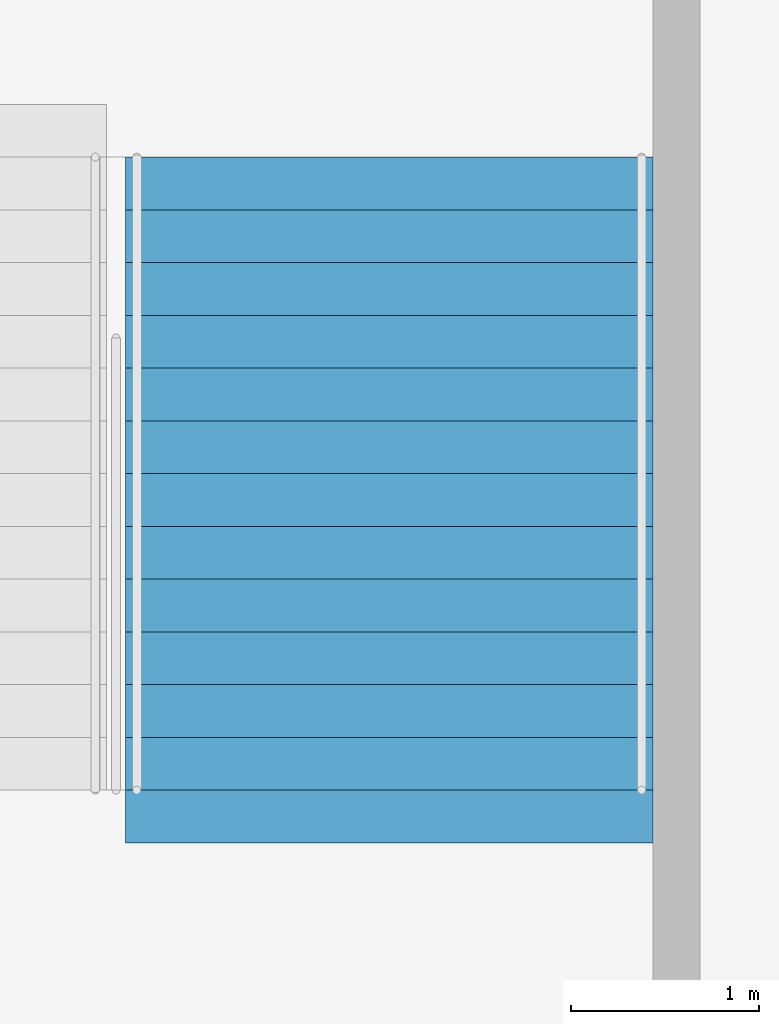
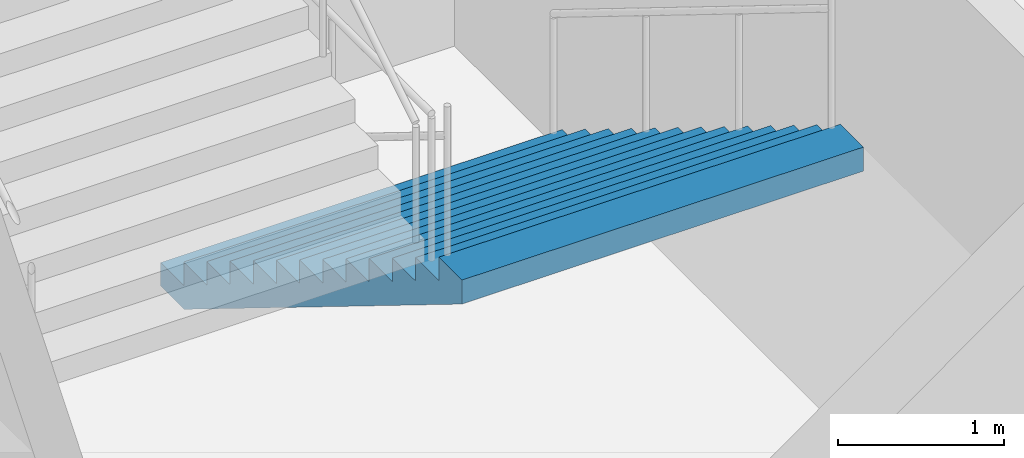
# One storey, part 65 of 175: 1 stair flight, 1 element without a shape of its own.
"""IFC4 building model written with IfcOpenShell, lengths in metres."""

from ifc_helpers import new_model, si_unit, direction, frame, origin, place, context, subcontext, project, spatial, faceted_brep, material, type_object, element, aggregate, save


model = new_model("IFC4")

# Units and contexts
model_context = context("Model", 3, precision=1e-05, world=origin(), true_north=direction((0.0, 1.0)))
body_context = subcontext(model_context, "Body", "Model", "MODEL_VIEW")
ifc_project = project(units=[si_unit("LENGTHUNIT", "METRE"), si_unit("AREAUNIT", "SQUARE_METRE"), si_unit("VOLUMEUNIT", "CUBIC_METRE"), si_unit("PLANEANGLEUNIT", "RADIAN"), si_unit("MASSUNIT", "GRAM", prefix="KILO")], contexts=[model_context])

# Site, building, storey
site_placement = place(None, origin())
site = spatial("IfcSite", under=ifc_project, at=site_placement, CompositionType="ELEMENT")
building_placement = place(site_placement, origin())
building = spatial("IfcBuilding", under=site, at=building_placement, Name="Ogive Plaza Stadium", CompositionType="ELEMENT")
storey_placement = place(building_placement, origin())
storey = spatial("IfcBuildingStorey", under=building, at=storey_placement, Name="L00", CompositionType="ELEMENT", Elevation=0.0)

# Stair, stair flight
ifc_material_1 = material(Name="Concrete C40/50", Category="concrete")
stair_type = type_object("IfcStairType", Name="Exit stair", PredefinedType="STRAIGHT_RUN_STAIR", material=ifc_material_1)
stair_placement = place(storey_placement, origin())
stair = element("IfcStair", 1, at=stair_placement, inside=storey, type_object=stair_type, Name="Exit stair ST14B L00 to L01", PredefinedType="STRAIGHT_RUN_STAIR")
ifc_material_2 = material(Name="Concrete C40/50", Category="concrete")
stair_flight_type = type_object("IfcStairFlightType", Name="Exit stair flight", PredefinedType="STRAIGHT", material=ifc_material_2)
stair_flight_placement = place(storey_placement, frame((11.22509765625, -94.85009765625, 0.0), z_axis=(0.0, 0.0, 1.0), x_axis=(0.0, -1.0, 0.0)))
stair_flight = element("IfcStairFlight", 2, at=stair_flight_placement, type_object=stair_flight_type, Name="ST14B flight 1", NumberOfRisers=13, NumberOfTreads=12, PredefinedType="STRAIGHT", RiserHeight=0.173076923, TreadLength=0.28, context=body_context, shape_type="Brep", body=[
    faceted_brep([(0.28515625, -1.39990234375, 0.0), (3.639892578125, -1.39990234375, 2.07373046875), (3.639892578125, -1.39990234375, 2.25), (3.360107421875, -1.39990234375, 2.25), (3.360107421875, -1.39990234375, 2.076904296875), (3.080078125, -1.39990234375, 2.076904296875), (3.080078125, -1.39990234375, 1.90380859375), (2.800048828125, -1.39990234375, 1.90380859375), (2.800048828125, -1.39990234375, 1.730712890625), (2.52001953125, -1.39990234375, 1.730712890625), (2.52001953125, -1.39990234375, 1.5576171875), (2.239990234375, -1.39990234375, 1.5576171875), (2.239990234375, -1.39990234375, 1.384521484375), (1.9599609375, -1.39990234375, 1.384521484375), (1.9599609375, -1.39990234375, 1.21142578125), (1.679931640625, -1.39990234375, 1.21142578125), (1.679931640625, -1.39990234375, 1.03857421875), (1.39990234375, -1.39990234375, 1.03857421875), (1.39990234375, -1.39990234375, 0.865478515625), (1.1201171875, -1.39990234375, 0.865478515625), (1.1201171875, -1.39990234375, 0.6923828125), (0.840087890625, -1.39990234375, 0.6923828125), (0.840087890625, -1.39990234375, 0.519287109375), (0.56005859375, -1.39990234375, 0.519287109375), (0.56005859375, -1.39990234375, 0.34619140625), (0.280029296875, -1.39990234375, 0.34619140625), (0.280029296875, -1.39990234375, 0.173095703125), (0.0, -1.39990234375, 0.173095703125), (0.0, -1.39990234375, 0.0), (0.0, 1.39990234375, 0.0), (0.0, 1.39990234375, 0.173095703125), (0.280029296875, 1.39990234375, 0.173095703125), (0.280029296875, 1.39990234375, 0.34619140625), (0.56005859375, 1.39990234375, 0.34619140625), (0.56005859375, 1.39990234375, 0.519287109375), (0.840087890625, 1.39990234375, 0.519287109375), (0.840087890625, 1.39990234375, 0.6923828125), (1.1201171875, 1.39990234375, 0.6923828125), (1.1201171875, 1.39990234375, 0.865478515625), (1.39990234375, 1.39990234375, 0.865478515625), (1.39990234375, 1.39990234375, 1.03857421875), (1.679931640625, 1.39990234375, 1.03857421875), (1.679931640625, 1.39990234375, 1.21142578125), (1.9599609375, 1.39990234375, 1.21142578125), (1.9599609375, 1.39990234375, 1.384521484375), (2.239990234375, 1.39990234375, 1.384521484375), (2.239990234375, 1.39990234375, 1.5576171875), (2.52001953125, 1.39990234375, 1.5576171875), (2.52001953125, 1.39990234375, 1.730712890625), (2.800048828125, 1.39990234375, 1.730712890625), (2.800048828125, 1.39990234375, 1.90380859375), (3.080078125, 1.39990234375, 1.90380859375), (3.080078125, 1.39990234375, 2.076904296875), (3.360107421875, 1.39990234375, 2.076904296875), (3.360107421875, 1.39990234375, 2.25), (3.639892578125, 1.39990234375, 2.25), (3.639892578125, 1.39990234375, 2.07373046875), (0.28515625, 1.39990234375, 0.0), (0.28515625, -1.0888671875, 0.0), (3.639892578125, -1.0888671875, 2.07373046875), (0.28515625, -0.77783203125, 0.0), (3.639892578125, -0.77783203125, 2.07373046875), (0.28515625, -0.466796875, 0.0), (3.639892578125, -0.466796875, 2.07373046875), (0.28515625, -0.155517578125, 0.0), (3.639892578125, -0.155517578125, 2.07373046875), (0.28515625, 0.155517578125, 0.0), (3.639892578125, 0.155517578125, 2.07373046875), (0.28515625, 0.466796875, 0.0), (3.639892578125, 0.466796875, 2.07373046875), (0.28515625, 0.77783203125, 0.0), (3.639892578125, 0.77783203125, 2.07373046875), (0.28515625, 1.0888671875, 0.0), (3.639892578125, 1.0888671875, 2.07373046875), (3.639892578125, -1.0888671875, 2.25), (3.639892578125, -0.77783203125, 2.25), (3.639892578125, -0.466796875, 2.25), (3.639892578125, -0.155517578125, 2.25), (3.639892578125, 0.155517578125, 2.25), (3.639892578125, 0.466796875, 2.25), (3.639892578125, 0.77783203125, 2.25), (3.639892578125, 1.0888671875, 2.25), (3.360107421875, -1.0888671875, 2.25), (3.360107421875, -0.77783203125, 2.25), (3.360107421875, -0.466796875, 2.25), (3.360107421875, -0.155517578125, 2.25), (3.360107421875, 0.155517578125, 2.25), (3.360107421875, 0.466796875, 2.25), (3.360107421875, 0.77783203125, 2.25), (3.360107421875, 1.0888671875, 2.25), (3.360107421875, -1.0888671875, 2.076904296875), (3.360107421875, -0.77783203125, 2.076904296875), (3.360107421875, -0.466796875, 2.076904296875), (3.360107421875, -0.155517578125, 2.076904296875), (3.360107421875, 0.155517578125, 2.076904296875), (3.360107421875, 0.466796875, 2.076904296875), (3.360107421875, 0.77783203125, 2.076904296875), (3.360107421875, 1.0888671875, 2.076904296875), (3.080078125, -1.0888671875, 2.076904296875), (3.080078125, -0.77783203125, 2.076904296875), (3.080078125, -0.466796875, 2.076904296875), (3.080078125, -0.155517578125, 2.076904296875), (3.080078125, 0.155517578125, 2.076904296875), (3.080078125, 0.466796875, 2.076904296875), (3.080078125, 0.77783203125, 2.076904296875), (3.080078125, 1.0888671875, 2.076904296875), (3.080078125, -1.0888671875, 1.90380859375), (3.080078125, -0.77783203125, 1.90380859375), (3.080078125, -0.466796875, 1.90380859375), (3.080078125, -0.155517578125, 1.90380859375), (3.080078125, 0.155517578125, 1.90380859375), (3.080078125, 0.466796875, 1.90380859375), (3.080078125, 0.77783203125, 1.90380859375), (3.080078125, 1.0888671875, 1.90380859375), (2.800048828125, -1.0888671875, 1.90380859375), (2.800048828125, -0.77783203125, 1.90380859375), (2.800048828125, -0.466796875, 1.90380859375), (2.800048828125, -0.155517578125, 1.90380859375), (2.800048828125, 0.155517578125, 1.90380859375), (2.800048828125, 0.466796875, 1.90380859375), (2.800048828125, 0.77783203125, 1.90380859375), (2.800048828125, 1.0888671875, 1.90380859375), (2.800048828125, -1.0888671875, 1.730712890625), (2.800048828125, -0.77783203125, 1.730712890625), (2.800048828125, -0.466796875, 1.730712890625), (2.800048828125, -0.155517578125, 1.730712890625), (2.800048828125, 0.155517578125, 1.730712890625), (2.800048828125, 0.466796875, 1.730712890625), (2.800048828125, 0.77783203125, 1.730712890625), (2.800048828125, 1.0888671875, 1.730712890625), (2.52001953125, -1.0888671875, 1.730712890625), (2.52001953125, -0.77783203125, 1.730712890625), (2.52001953125, -0.466796875, 1.730712890625), (2.52001953125, -0.155517578125, 1.730712890625), (2.52001953125, 0.155517578125, 1.730712890625), (2.52001953125, 0.466796875, 1.730712890625), (2.52001953125, 0.77783203125, 1.730712890625), (2.52001953125, 1.0888671875, 1.730712890625), (2.52001953125, -1.0888671875, 1.5576171875), (2.52001953125, -0.77783203125, 1.5576171875), (2.52001953125, -0.466796875, 1.5576171875), (2.52001953125, -0.155517578125, 1.5576171875), (2.52001953125, 0.155517578125, 1.5576171875), (2.52001953125, 0.466796875, 1.5576171875), (2.52001953125, 0.77783203125, 1.5576171875), (2.52001953125, 1.0888671875, 1.5576171875), (2.239990234375, -1.0888671875, 1.5576171875), (2.239990234375, -0.77783203125, 1.5576171875), (2.239990234375, -0.466796875, 1.5576171875), (2.239990234375, -0.155517578125, 1.5576171875), (2.239990234375, 0.155517578125, 1.5576171875), (2.239990234375, 0.466796875, 1.5576171875), (2.239990234375, 0.77783203125, 1.5576171875), (2.239990234375, 1.0888671875, 1.5576171875), (2.239990234375, -1.0888671875, 1.384521484375), (2.239990234375, -0.77783203125, 1.384521484375), (2.239990234375, -0.466796875, 1.384521484375), (2.239990234375, -0.155517578125, 1.384521484375), (2.239990234375, 0.155517578125, 1.384521484375), (2.239990234375, 0.466796875, 1.384521484375), (2.239990234375, 0.77783203125, 1.384521484375), (2.239990234375, 1.0888671875, 1.384521484375), (1.9599609375, -1.0888671875, 1.384521484375), (1.9599609375, -0.77783203125, 1.384521484375), (1.9599609375, -0.466796875, 1.384521484375), (1.9599609375, -0.155517578125, 1.384521484375), (1.9599609375, 0.155517578125, 1.384521484375), (1.9599609375, 0.466796875, 1.384521484375), (1.9599609375, 0.77783203125, 1.384521484375), (1.9599609375, 1.0888671875, 1.384521484375), (1.9599609375, -1.0888671875, 1.21142578125), (1.9599609375, -0.77783203125, 1.21142578125), (1.9599609375, -0.466796875, 1.21142578125), (1.9599609375, -0.155517578125, 1.21142578125), (1.9599609375, 0.155517578125, 1.21142578125), (1.9599609375, 0.466796875, 1.21142578125), (1.9599609375, 0.77783203125, 1.21142578125), (1.9599609375, 1.0888671875, 1.21142578125), (1.679931640625, -1.0888671875, 1.21142578125), (1.679931640625, -0.77783203125, 1.21142578125), (1.679931640625, -0.466796875, 1.21142578125), (1.679931640625, -0.155517578125, 1.21142578125), (1.679931640625, 0.155517578125, 1.21142578125), (1.679931640625, 0.466796875, 1.21142578125), (1.679931640625, 0.77783203125, 1.21142578125), (1.679931640625, 1.0888671875, 1.21142578125), (1.679931640625, -1.0888671875, 1.03857421875), (1.679931640625, -0.77783203125, 1.03857421875), (1.679931640625, -0.466796875, 1.03857421875), (1.679931640625, -0.155517578125, 1.03857421875), (1.679931640625, 0.155517578125, 1.03857421875), (1.679931640625, 0.466796875, 1.03857421875), (1.679931640625, 0.77783203125, 1.03857421875), (1.679931640625, 1.0888671875, 1.03857421875), (1.39990234375, -1.0888671875, 1.03857421875), (1.39990234375, -0.77783203125, 1.03857421875), (1.39990234375, -0.466796875, 1.03857421875), (1.39990234375, -0.155517578125, 1.03857421875), (1.39990234375, 0.155517578125, 1.03857421875), (1.39990234375, 0.466796875, 1.03857421875), (1.39990234375, 0.77783203125, 1.03857421875), (1.39990234375, 1.0888671875, 1.03857421875), (1.39990234375, -1.0888671875, 0.865478515625), (1.39990234375, -0.77783203125, 0.865478515625), (1.39990234375, -0.466796875, 0.865478515625), (1.39990234375, -0.155517578125, 0.865478515625), (1.39990234375, 0.155517578125, 0.865478515625), (1.39990234375, 0.466796875, 0.865478515625), (1.39990234375, 0.77783203125, 0.865478515625), (1.39990234375, 1.0888671875, 0.865478515625), (1.1201171875, -1.0888671875, 0.865478515625), (1.1201171875, -0.77783203125, 0.865478515625), (1.1201171875, -0.466796875, 0.865478515625), (1.1201171875, -0.155517578125, 0.865478515625), (1.1201171875, 0.155517578125, 0.865478515625), (1.1201171875, 0.466796875, 0.865478515625), (1.1201171875, 0.77783203125, 0.865478515625), (1.1201171875, 1.0888671875, 0.865478515625), (1.1201171875, -1.0888671875, 0.6923828125), (1.1201171875, -0.77783203125, 0.6923828125), (1.1201171875, -0.466796875, 0.6923828125), (1.1201171875, -0.155517578125, 0.6923828125), (1.1201171875, 0.155517578125, 0.6923828125), (1.1201171875, 0.466796875, 0.6923828125), (1.1201171875, 0.77783203125, 0.6923828125), (1.1201171875, 1.0888671875, 0.6923828125), (0.840087890625, -1.0888671875, 0.6923828125), (0.840087890625, -0.77783203125, 0.6923828125), (0.840087890625, -0.466796875, 0.6923828125), (0.840087890625, -0.155517578125, 0.6923828125), (0.840087890625, 0.155517578125, 0.6923828125), (0.840087890625, 0.466796875, 0.6923828125), (0.840087890625, 0.77783203125, 0.6923828125), (0.840087890625, 1.0888671875, 0.6923828125), (0.840087890625, -1.0888671875, 0.519287109375), (0.840087890625, -0.77783203125, 0.519287109375), (0.840087890625, -0.466796875, 0.519287109375), (0.840087890625, -0.155517578125, 0.519287109375), (0.840087890625, 0.155517578125, 0.519287109375), (0.840087890625, 0.466796875, 0.519287109375), (0.840087890625, 0.77783203125, 0.519287109375), (0.840087890625, 1.0888671875, 0.519287109375), (0.56005859375, -1.0888671875, 0.519287109375), (0.56005859375, -0.77783203125, 0.519287109375), (0.56005859375, -0.466796875, 0.519287109375), (0.56005859375, -0.155517578125, 0.519287109375), (0.56005859375, 0.155517578125, 0.519287109375), (0.56005859375, 0.466796875, 0.519287109375), (0.56005859375, 0.77783203125, 0.519287109375), (0.56005859375, 1.0888671875, 0.519287109375), (0.56005859375, -1.0888671875, 0.34619140625), (0.56005859375, -0.77783203125, 0.34619140625), (0.56005859375, -0.466796875, 0.34619140625), (0.56005859375, -0.155517578125, 0.34619140625), (0.56005859375, 0.155517578125, 0.34619140625), (0.56005859375, 0.466796875, 0.34619140625), (0.56005859375, 0.77783203125, 0.34619140625), (0.56005859375, 1.0888671875, 0.34619140625), (0.280029296875, -1.0888671875, 0.34619140625), (0.280029296875, -0.77783203125, 0.34619140625), (0.280029296875, -0.466796875, 0.34619140625), (0.280029296875, -0.155517578125, 0.34619140625), (0.280029296875, 0.155517578125, 0.34619140625), (0.280029296875, 0.466796875, 0.34619140625), (0.280029296875, 0.77783203125, 0.34619140625), (0.280029296875, 1.0888671875, 0.34619140625), (0.280029296875, -1.0888671875, 0.173095703125), (0.280029296875, -0.77783203125, 0.173095703125), (0.280029296875, -0.466796875, 0.173095703125), (0.280029296875, -0.155517578125, 0.173095703125), (0.280029296875, 0.155517578125, 0.173095703125), (0.280029296875, 0.466796875, 0.173095703125), (0.280029296875, 0.77783203125, 0.173095703125), (0.280029296875, 1.0888671875, 0.173095703125), (0.0, -1.0888671875, 0.173095703125), (0.0, -0.77783203125, 0.173095703125), (0.0, -0.466796875, 0.173095703125), (0.0, -0.155517578125, 0.173095703125), (0.0, 0.155517578125, 0.173095703125), (0.0, 0.466796875, 0.173095703125), (0.0, 0.77783203125, 0.173095703125), (0.0, 1.0888671875, 0.173095703125), (0.0, -1.0888671875, 0.0), (0.0, -0.77783203125, 0.0), (0.0, -0.466796875, 0.0), (0.0, -0.155517578125, 0.0), (0.0, 0.155517578125, 0.0), (0.0, 0.466796875, 0.0), (0.0, 0.77783203125, 0.0), (0.0, 1.0888671875, 0.0)], [[[0, 1, 2, 3, 4, 5, 6, 7, 8, 9, 10, 11, 12, 13, 14, 15, 16, 17, 18, 19, 20, 21, 22, 23, 24, 25, 26, 27, 28]], [[29, 30, 31, 32, 33, 34, 35, 36, 37, 38, 39, 40, 41, 42, 43, 44, 45, 46, 47, 48, 49, 50, 51, 52, 53, 54, 55, 56, 57]], [[0, 58, 59, 1]], [[58, 60, 61, 59]], [[60, 62, 63, 61]], [[62, 64, 65, 63]], [[64, 66, 67, 65]], [[66, 68, 69, 67]], [[68, 70, 71, 69]], [[70, 72, 73, 71]], [[72, 57, 56, 73]], [[1, 59, 74, 2]], [[59, 61, 75, 74]], [[61, 63, 76, 75]], [[63, 65, 77, 76]], [[65, 67, 78, 77]], [[67, 69, 79, 78]], [[69, 71, 80, 79]], [[71, 73, 81, 80]], [[73, 56, 55, 81]], [[2, 74, 82, 3]], [[74, 75, 83, 82]], [[75, 76, 84, 83]], [[76, 77, 85, 84]], [[77, 78, 86, 85]], [[78, 79, 87, 86]], [[79, 80, 88, 87]], [[80, 81, 89, 88]], [[81, 55, 54, 89]], [[3, 82, 90, 4]], [[82, 83, 91, 90]], [[83, 84, 92, 91]], [[84, 85, 93, 92]], [[85, 86, 94, 93]], [[86, 87, 95, 94]], [[87, 88, 96, 95]], [[88, 89, 97, 96]], [[89, 54, 53, 97]], [[4, 90, 98, 5]], [[90, 91, 99, 98]], [[91, 92, 100, 99]], [[92, 93, 101, 100]], [[93, 94, 102, 101]], [[94, 95, 103, 102]], [[95, 96, 104, 103]], [[96, 97, 105, 104]], [[97, 53, 52, 105]], [[5, 98, 106, 6]], [[98, 99, 107, 106]], [[99, 100, 108, 107]], [[100, 101, 109, 108]], [[101, 102, 110, 109]], [[102, 103, 111, 110]], [[103, 104, 112, 111]], [[104, 105, 113, 112]], [[105, 52, 51, 113]], [[6, 106, 114, 7]], [[106, 107, 115, 114]], [[107, 108, 116, 115]], [[108, 109, 117, 116]], [[109, 110, 118, 117]], [[110, 111, 119, 118]], [[111, 112, 120, 119]], [[112, 113, 121, 120]], [[113, 51, 50, 121]], [[7, 114, 122, 8]], [[114, 115, 123, 122]], [[115, 116, 124, 123]], [[116, 117, 125, 124]], [[117, 118, 126, 125]], [[118, 119, 127, 126]], [[119, 120, 128, 127]], [[120, 121, 129, 128]], [[121, 50, 49, 129]], [[8, 122, 130, 9]], [[122, 123, 131, 130]], [[123, 124, 132, 131]], [[124, 125, 133, 132]], [[125, 126, 134, 133]], [[126, 127, 135, 134]], [[127, 128, 136, 135]], [[128, 129, 137, 136]], [[129, 49, 48, 137]], [[9, 130, 138, 10]], [[130, 131, 139, 138]], [[131, 132, 140, 139]], [[132, 133, 141, 140]], [[133, 134, 142, 141]], [[134, 135, 143, 142]], [[135, 136, 144, 143]], [[136, 137, 145, 144]], [[137, 48, 47, 145]], [[10, 138, 146, 11]], [[138, 139, 147, 146]], [[139, 140, 148, 147]], [[140, 141, 149, 148]], [[141, 142, 150, 149]], [[142, 143, 151, 150]], [[143, 144, 152, 151]], [[144, 145, 153, 152]], [[145, 47, 46, 153]], [[11, 146, 154, 12]], [[146, 147, 155, 154]], [[147, 148, 156, 155]], [[148, 149, 157, 156]], [[149, 150, 158, 157]], [[150, 151, 159, 158]], [[151, 152, 160, 159]], [[152, 153, 161, 160]], [[153, 46, 45, 161]], [[12, 154, 162, 13]], [[154, 155, 163, 162]], [[155, 156, 164, 163]], [[156, 157, 165, 164]], [[157, 158, 166, 165]], [[158, 159, 167, 166]], [[159, 160, 168, 167]], [[160, 161, 169, 168]], [[161, 45, 44, 169]], [[13, 162, 170, 14]], [[162, 163, 171, 170]], [[163, 164, 172, 171]], [[164, 165, 173, 172]], [[165, 166, 174, 173]], [[166, 167, 175, 174]], [[167, 168, 176, 175]], [[168, 169, 177, 176]], [[169, 44, 43, 177]], [[14, 170, 178, 15]], [[170, 171, 179, 178]], [[171, 172, 180, 179]], [[172, 173, 181, 180]], [[173, 174, 182, 181]], [[174, 175, 183, 182]], [[175, 176, 184, 183]], [[176, 177, 185, 184]], [[177, 43, 42, 185]], [[15, 178, 186, 16]], [[178, 179, 187, 186]], [[179, 180, 188, 187]], [[180, 181, 189, 188]], [[181, 182, 190, 189]], [[182, 183, 191, 190]], [[183, 184, 192, 191]], [[184, 185, 193, 192]], [[185, 42, 41, 193]], [[16, 186, 194, 17]], [[186, 187, 195, 194]], [[187, 188, 196, 195]], [[188, 189, 197, 196]], [[189, 190, 198, 197]], [[190, 191, 199, 198]], [[191, 192, 200, 199]], [[192, 193, 201, 200]], [[193, 41, 40, 201]], [[17, 194, 202, 18]], [[194, 195, 203, 202]], [[195, 196, 204, 203]], [[196, 197, 205, 204]], [[197, 198, 206, 205]], [[198, 199, 207, 206]], [[199, 200, 208, 207]], [[200, 201, 209, 208]], [[201, 40, 39, 209]], [[18, 202, 210, 19]], [[202, 203, 211, 210]], [[203, 204, 212, 211]], [[204, 205, 213, 212]], [[205, 206, 214, 213]], [[206, 207, 215, 214]], [[207, 208, 216, 215]], [[208, 209, 217, 216]], [[209, 39, 38, 217]], [[19, 210, 218, 20]], [[210, 211, 219, 218]], [[211, 212, 220, 219]], [[212, 213, 221, 220]], [[213, 214, 222, 221]], [[214, 215, 223, 222]], [[215, 216, 224, 223]], [[216, 217, 225, 224]], [[217, 38, 37, 225]], [[20, 218, 226, 21]], [[218, 219, 227, 226]], [[219, 220, 228, 227]], [[220, 221, 229, 228]], [[221, 222, 230, 229]], [[222, 223, 231, 230]], [[223, 224, 232, 231]], [[224, 225, 233, 232]], [[225, 37, 36, 233]], [[21, 226, 234, 22]], [[226, 227, 235, 234]], [[227, 228, 236, 235]], [[228, 229, 237, 236]], [[229, 230, 238, 237]], [[230, 231, 239, 238]], [[231, 232, 240, 239]], [[232, 233, 241, 240]], [[233, 36, 35, 241]], [[22, 234, 242, 23]], [[234, 235, 243, 242]], [[235, 236, 244, 243]], [[236, 237, 245, 244]], [[237, 238, 246, 245]], [[238, 239, 247, 246]], [[239, 240, 248, 247]], [[240, 241, 249, 248]], [[241, 35, 34, 249]], [[23, 242, 250, 24]], [[242, 243, 251, 250]], [[243, 244, 252, 251]], [[244, 245, 253, 252]], [[245, 246, 254, 253]], [[246, 247, 255, 254]], [[247, 248, 256, 255]], [[248, 249, 257, 256]], [[249, 34, 33, 257]], [[24, 250, 258, 25]], [[250, 251, 259, 258]], [[251, 252, 260, 259]], [[252, 253, 261, 260]], [[253, 254, 262, 261]], [[254, 255, 263, 262]], [[255, 256, 264, 263]], [[256, 257, 265, 264]], [[257, 33, 32, 265]], [[25, 258, 266, 26]], [[258, 259, 267, 266]], [[259, 260, 268, 267]], [[260, 261, 269, 268]], [[261, 262, 270, 269]], [[262, 263, 271, 270]], [[263, 264, 272, 271]], [[264, 265, 273, 272]], [[265, 32, 31, 273]], [[26, 266, 274, 27]], [[266, 267, 275, 274]], [[267, 268, 276, 275]], [[268, 269, 277, 276]], [[269, 270, 278, 277]], [[270, 271, 279, 278]], [[271, 272, 280, 279]], [[272, 273, 281, 280]], [[273, 31, 30, 281]], [[27, 274, 282, 28]], [[274, 275, 283, 282]], [[275, 276, 284, 283]], [[276, 277, 285, 284]], [[277, 278, 286, 285]], [[278, 279, 287, 286]], [[279, 280, 288, 287]], [[280, 281, 289, 288]], [[281, 30, 29, 289]], [[28, 282, 58, 0]], [[282, 283, 60, 58]], [[283, 284, 62, 60]], [[284, 285, 64, 62]], [[285, 286, 66, 64]], [[286, 287, 68, 66]], [[287, 288, 70, 68]], [[288, 289, 72, 70]], [[289, 29, 57, 72]]]),
])
aggregate(stair, [stair_flight])

save(model, "model.ifc")
